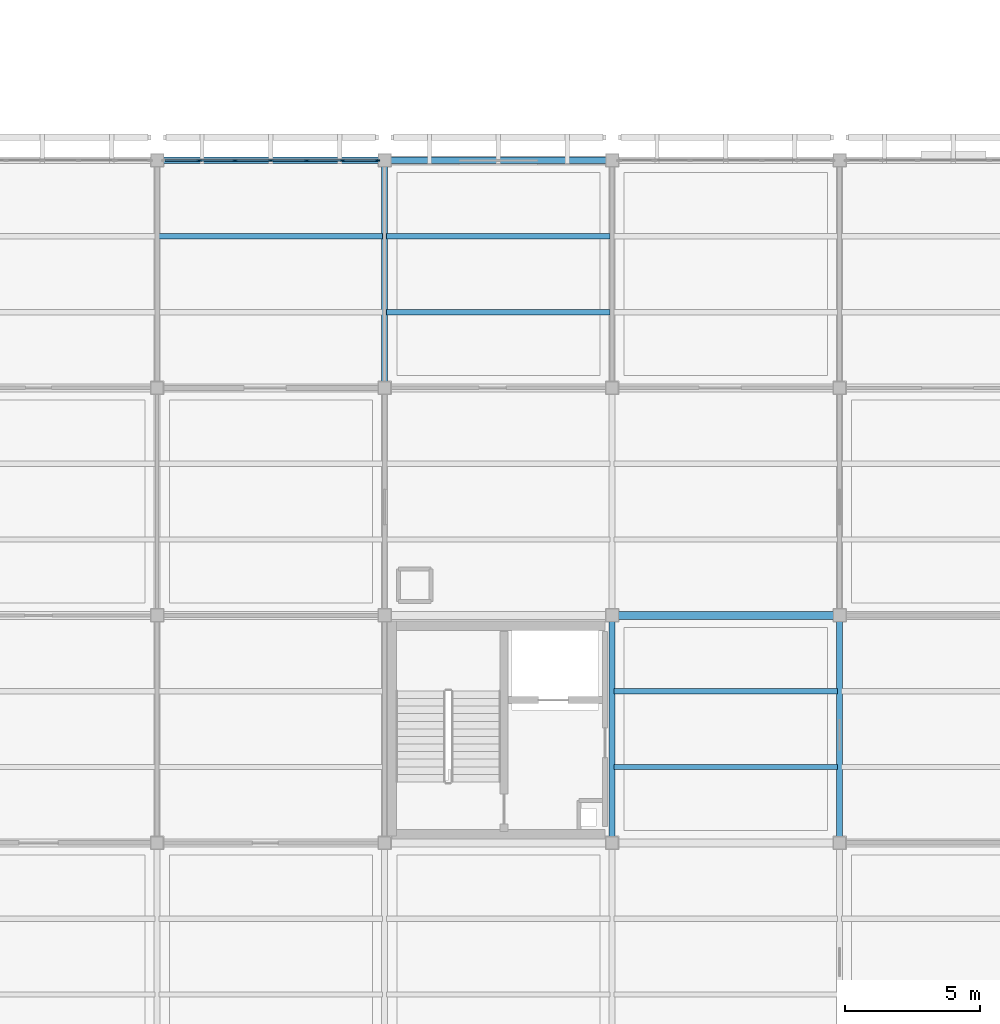
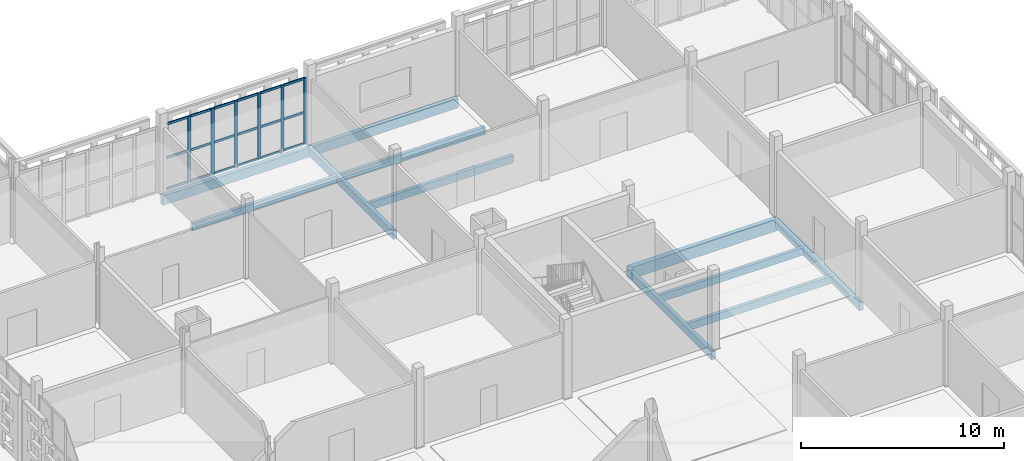
# One storey, part 84 of 203: 24 members, 11 beams, 1 element without a shape of its own.
"""IFC4 building model written with IfcOpenShell, lengths in metres."""

import ifcopenshell
import ifcopenshell.guid

model = None  # the IFC model being written
_history = None  # IfcOwnerHistory: only IFC2X3 demands one
_inside = {}  # id of a spatial element -> (the spatial element, [elements in it])
_under = {}  # id of a project, library or spatial element -> (it, [spatial elements below it])
_declared = {}  # id of a project -> (the project, [libraries it declares])
_typed = {}  # id of a type object -> (the type object, [elements of that type])
_made_of = {}  # id of a material, layer set ... -> (it, [elements and type objects made of it])


def new_model(schema):
    """Start an empty IFC model of exactly this schema.

    Asked for "IFC4X3", IfcOpenShell would pick the latest addendum, in which some entities
    have other attributes; the version numbers below select the first issue.
    IFC2X3 requires an IfcOwnerHistory on every rooted entity: one is made here for all.
    """
    global model, _history
    if schema == "IFC4X3":
        model = ifcopenshell.file(schema_version=(4, 3, 0, 0))
    else:
        model = ifcopenshell.file(schema=schema)
    _inside.clear()
    _under.clear()
    _declared.clear()
    _typed.clear()
    _made_of.clear()
    _history = None
    if model.schema == "IFC2X3":
        org = make("IfcOrganization", Name="unknown")
        user = make(
            "IfcPersonAndOrganization",
            ThePerson=make("IfcPerson", FamilyName="unknown"),
            TheOrganization=org,
        )
        app = make(
            "IfcApplication",
            ApplicationDeveloper=org,
            Version="unknown",
            ApplicationFullName="unknown",
            ApplicationIdentifier="unknown",
        )
        _history = make(
            "IfcOwnerHistory",
            OwningUser=user,
            OwningApplication=app,
            ChangeAction="ADDED",
            CreationDate=0,
        )
    return model


def make(cls, **values):
    """One entity of the class cls with the attributes given. An attribute that is None is left unset."""
    return model.create_entity(
        cls, **{name: value for name, value in values.items() if value is not None}
    )


def rooted(cls, **values):
    """An entity with a GlobalId (a new one), such as an element, a storey or a relation."""
    return make(cls, GlobalId=ifcopenshell.guid.new(), OwnerHistory=_history, **values)


def si_unit(unit_type, name, prefix=None):
    """IfcSIUnit, for example si_unit("LENGTHUNIT", "METRE", prefix="MILLI")."""
    return make("IfcSIUnit", UnitType=unit_type, Prefix=prefix, Name=name)


def assignment(units):
    """IfcUnitAssignment: the units of a project."""
    return None if units is None else make("IfcUnitAssignment", Units=units)


def point(xyz):
    """IfcCartesianPoint."""
    return None if xyz is None else make("IfcCartesianPoint", Coordinates=xyz)


def direction(xyz):
    """IfcDirection."""
    return None if xyz is None else make("IfcDirection", DirectionRatios=xyz)


def frame(location, z_axis=None, x_axis=None):
    """IfcAxis2Placement3D, a coordinate frame: its origin and axes. An axis left out is left unset."""
    return make(
        "IfcAxis2Placement3D",
        Location=point(location),
        Axis=direction(z_axis),
        RefDirection=direction(x_axis),
    )


def frame_2d(location, x_axis=None):
    """IfcAxis2Placement2D, a coordinate frame in the plane: its origin and x axis."""
    return make(
        "IfcAxis2Placement2D", Location=point(location), RefDirection=direction(x_axis)
    )


def origin():
    """The frame at (0, 0, 0) with its axes left unset."""
    return frame((0.0, 0.0, 0.0))


def origin_2d():
    """The frame at (0, 0) in the plane with its x axis left unset."""
    return frame_2d((0.0, 0.0))


def place(relative_to, where):
    """IfcLocalPlacement: puts the frame where relative to a parent placement (None: the world)."""
    return make(
        "IfcLocalPlacement", PlacementRelTo=relative_to, RelativePlacement=where
    )


def context(
    kind, dimensions, precision=None, world=None, true_north=None, identifier=None
):
    """IfcGeometricRepresentationContext, for example the 3D "Model" context."""
    return make(
        "IfcGeometricRepresentationContext",
        ContextIdentifier=identifier,
        ContextType=kind,
        CoordinateSpaceDimension=dimensions,
        Precision=precision,
        WorldCoordinateSystem=world,
        TrueNorth=true_north,
    )


def subcontext(parent, identifier, kind, view, scale=None):
    """IfcGeometricRepresentationSubContext, for example "Body" below "Model"."""
    return make(
        "IfcGeometricRepresentationSubContext",
        ContextIdentifier=identifier,
        ContextType=kind,
        ParentContext=parent,
        TargetScale=scale,
        TargetView=view,
    )


def project(units=None, contexts=None):
    """IfcProject with its units and contexts."""
    return rooted(
        "IfcProject",
        Name="project",
        RepresentationContexts=contexts,
        UnitsInContext=assignment(units),
    )


def spatial(cls, under=None, at=None, **own):
    """A site, building, storey or space (cls), placed at a placement, below another one or the project."""
    s = rooted(cls, ObjectPlacement=at, **own)
    if under is not None:
        _under.setdefault(under.id(), (under, []))[1].append(s)
    return s


def profile(cls, at=None, kind="AREA", **sizes):
    """A parametric profile (cls). Its sizes go by their IFC names, for example OverallWidth=200.0."""
    return make(cls, ProfileType=kind, Position=at, **sizes)


def rectangle(**sizes):
    """IfcRectangleProfileDef."""
    return profile("IfcRectangleProfileDef", **sizes)


def extrude(swept, where, along, depth):
    """IfcExtrudedAreaSolid: the profile swept, set in the frame where, extruded along a direction by depth."""
    return make(
        "IfcExtrudedAreaSolid",
        SweptArea=swept,
        Position=where,
        ExtrudedDirection=direction(along),
        Depth=depth,
    )


def shape(context_of_items, identifier, shape_type, items):
    """IfcShapeRepresentation: the items that make up one representation, for example the "Body"."""
    return make(
        "IfcShapeRepresentation",
        ContextOfItems=context_of_items,
        RepresentationIdentifier=identifier,
        RepresentationType=shape_type,
        Items=items,
    )


def material(Name=None, Category=None):
    """IfcMaterial."""
    return make("IfcMaterial", Name=Name, Category=Category)


def layer(
    of_material, thickness, ventilated=None, Name=None, Category=None, Priority=None
):
    """IfcMaterialLayer: one layer of a wall or slab, of a material (None: an air gap)."""
    return make(
        "IfcMaterialLayer",
        Material=of_material,
        LayerThickness=thickness,
        IsVentilated=ventilated,
        Name=Name,
        Category=Category,
        Priority=Priority,
    )


def layer_set(layers, Name=None):
    """IfcMaterialLayerSet."""
    return make("IfcMaterialLayerSet", MaterialLayers=layers, LayerSetName=Name)


def material_profile(
    of_material, cross_section, Name=None, Category=None, Priority=None
):
    """IfcMaterialProfile: a cross section and its material."""
    return make(
        "IfcMaterialProfile",
        Name=Name,
        Material=of_material,
        Profile=cross_section,
        Priority=Priority,
        Category=Category,
    )


def profile_set(profiles, Name=None, composite=None):
    """IfcMaterialProfileSet."""
    return make(
        "IfcMaterialProfileSet",
        Name=Name,
        MaterialProfiles=profiles,
        CompositeProfile=composite,
    )


def made_of(thing, what):
    """Note that an element or type object is made of a material, layer set ...; save() writes the relation."""
    if what is not None:
        _made_of.setdefault(what.id(), (what, []))[1].append(thing)
    return thing


def type_object(cls, material=None, **own):
    """A type object (cls), such as IfcWallType, which elements share."""
    return made_of(rooted(cls, **own), material)


def element(
    cls,
    number,
    at=None,
    inside=None,
    cuts=None,
    type_object=None,
    material=None,
    context=None,
    identifier="Body",
    shape_type=None,
    held_by="IfcProductDefinitionShape",
    body=None,
    shapes=None,
    **own,
):
    """One element of the class cls, such as IfcWall. Its Tag is "e" and its number.

    at: its placement. inside: the storey or other place that contains it. cuts: it is an
    opening in that element (IfcRelVoidsElement). A single representation is given by context,
    identifier, shape_type and body (its items); several are given by shapes. held_by: the class
    of the entity that holds the representations. save() writes the other relations.
    """
    e = rooted(cls, Tag="e%d" % number, ObjectPlacement=at, **own)
    if body is not None:
        shapes = [shape(context, identifier, shape_type, body)]
    if shapes is not None:
        e.Representation = make(held_by, Representations=shapes)
    if inside is not None:
        _inside.setdefault(inside.id(), (inside, []))[1].append(e)
    if cuts is not None:
        rooted(
            "IfcRelVoidsElement", RelatingBuildingElement=cuts, RelatedOpeningElement=e
        )
    if type_object is not None:
        _typed.setdefault(type_object.id(), (type_object, []))[1].append(e)
    return made_of(e, material)


def aggregate(whole, parts):
    """IfcRelAggregates: a whole, such as a stair, and the parts it consists of."""
    return rooted("IfcRelAggregates", RelatingObject=whole, RelatedObjects=parts)


def save(model, path):
    """Write the relations noted so far, then the file.

    IfcRelAggregates (storeys below a building ...), IfcRelContainedInSpatialStructure (elements
    in a storey), IfcRelDefinesByType, IfcRelAssociatesMaterial and IfcRelDeclares: one each for
    every whole, place, type object, material and project.
    """
    for whole, parts in _under.values():
        aggregate(whole, parts)
    for where, things in _inside.values():
        rooted(
            "IfcRelContainedInSpatialStructure",
            RelatedElements=things,
            RelatingStructure=where,
        )
    for kind, things in _typed.values():
        rooted("IfcRelDefinesByType", RelatedObjects=things, RelatingType=kind)
    for what, things in _made_of.values():
        rooted("IfcRelAssociatesMaterial", RelatedObjects=things, RelatingMaterial=what)
    for by, libraries in _declared.values():
        rooted("IfcRelDeclares", RelatingContext=by, RelatedDefinitions=libraries)
    model.write(path)


model = new_model("IFC4")

# Units and contexts
model_context = context("Model", 3, precision=1e-05, world=origin(), true_north=direction((0.0, 1.0)))
body_context = subcontext(model_context, "Body", "Model", "MODEL_VIEW")
ifc_project = project(units=[si_unit("LENGTHUNIT", "METRE"), si_unit("AREAUNIT", "SQUARE_METRE"), si_unit("VOLUMEUNIT", "CUBIC_METRE"), si_unit("PLANEANGLEUNIT", "RADIAN"), si_unit("MASSUNIT", "GRAM", prefix="KILO")], contexts=[model_context])

# Site, building, storey
site_placement = place(None, origin())
site = spatial("IfcSite", under=ifc_project, at=site_placement, CompositionType="ELEMENT")
building_placement = place(site_placement, origin())
building = spatial("IfcBuilding", under=site, at=building_placement, Name="Varnapada Polytechnic", CompositionType="ELEMENT")
storey_placement = place(building_placement, frame((0.0, 0.0, 4.800048828125)))
storey = spatial("IfcBuildingStorey", under=building, at=storey_placement, Name="L01", CompositionType="ELEMENT", Elevation=4.800048828125)

# Beams
ifc_material_1 = material(Name="Glulam GL32h", Category="wood")
ifc_material_profile_1 = material_profile(ifc_material_1, rectangle(XDim=0.199951171875, YDim=0.43994140625, at=origin_2d()), Name="GL 200x440")
ifc_profile_set_1 = profile_set([ifc_material_profile_1], Name="Glulam GL32h")
beam_type_1 = type_object("IfcBeamType", Name="Heavy laboratory glulam joist GJ-03 (GL 200x440)", PredefinedType="JOIST", material=ifc_profile_set_1)
beam_1_placement = place(storey_placement, frame((142.8798828125, 114.800048828125, -0.469970703125), z_axis=(1.0, 0.0, 0.0), x_axis=(0.0, 1.0, 0.0)))
element("IfcBeam", 1, at=beam_1_placement, inside=storey, type_object=beam_type_1, Name="L01 floor joist 18/14.2", PredefinedType="JOIST", context=body_context, shape_type="SweptSolid", body=[
    extrude(rectangle(XDim=0.199951171875, YDim=0.43994140625, at=origin_2d()), origin(), (0.0, 0.0, 1.0), 8.240234375),
])
for number, where, z_axis, x_axis, name in (
    (2, (151.280029296875, 112.0, -0.469970703125), (1.0, 0.0, 0.0), (0.0, 1.0, 0.0), "L01 floor joist 19/14.1"),
    (3, (151.280029296875, 114.800048828125, -0.469970703125), (1.0, 0.0, 0.0), (0.0, 1.0, 0.0), "L01 floor joist 19/14.2"),
    (4, (159.679931640625, 95.199951171875, -0.469970703125), (1.0, 0.0, 0.0), (0.0, 1.0, 0.0), "L01 floor joist 20/12.1"),
    (5, (159.679931640625, 98.0, -0.469970703125), (1.0, 0.0, 0.0), (0.0, 1.0, 0.0), "L01 floor joist 20/12.2"),
):
    element("IfcBeam", number, at=place(storey_placement, frame(where, z_axis=z_axis, x_axis=x_axis)), inside=storey, type_object=beam_type_1, Name=name, PredefinedType="JOIST", context=body_context, shape_type="SweptSolid", body=[
        extrude(rectangle(XDim=0.199951171875, YDim=0.43994140625, at=origin_2d()), origin(), (0.0, 0.0, 1.0), 8.239990234375),
    ])

# Curtain wall, members
ifc_material_2 = material(Name="Double low-E laminated glass", Category="glass")
ifc_layer = layer(ifc_material_2, 0.179931640625)
ifc_layer_set = layer_set([ifc_layer], Name="Double low-E laminated glass")
curtain_wall_type = type_object("IfcCurtainWallType", Name="Curtain Wall CW-04", PredefinedType="NOTDEFINED", material=ifc_layer_set)
curtain_wall_placement = place(storey_placement, origin())
curtain_wall = element("IfcCurtainWall", 6, at=curtain_wall_placement, inside=storey, type_object=curtain_wall_type, Name="L01 unitised curtain wall CW-04 (108)", PredefinedType="NOTDEFINED")
ifc_material_3 = material(Name="Anodised aluminium", Category="aluminium")
ifc_material_profile_2 = material_profile(ifc_material_3, rectangle(XDim=0.06494140625, YDim=0.179931640625, at=origin_2d()), Name="ALU M65x180")
ifc_profile_set_2 = profile_set([ifc_material_profile_2], Name="Anodised aluminium")
member_type_1 = type_object("IfcMemberType", Name="Mullion M-02", PredefinedType="MULLION", material=ifc_profile_set_2)
member_1_placement = place(storey_placement, frame((144.353271484375, 117.60009765625, 0.0), z_axis=(0.0, 0.0, 1.0), x_axis=(0.0, 1.0, 0.0)))
member_1 = element("IfcMember", 7, at=member_1_placement, type_object=member_type_1, Name="CW-04 mullion 2", PredefinedType="MULLION", context=body_context, shape_type="SweptSolid", body=[
    extrude(rectangle(XDim=0.06494140625, YDim=0.179931640625, at=origin_2d()), origin(), (0.0, 0.0, 1.0), 3.9599609375),
])
member_2_placement = place(storey_placement, frame((145.6767578125, 117.60009765625, 0.0), z_axis=(0.0, 0.0, 1.0), x_axis=(0.0, 1.0, 0.0)))
member_2 = element("IfcMember", 8, at=member_2_placement, type_object=member_type_1, Name="CW-04 mullion 3", PredefinedType="MULLION", context=body_context, shape_type="SweptSolid", body=[
    extrude(rectangle(XDim=0.06494140625, YDim=0.179931640625, at=origin_2d()), origin(), (0.0, 0.0, 1.0), 3.9599609375),
])
member_3_placement = place(storey_placement, frame((147.0, 117.60009765625, 0.0), z_axis=(0.0, 0.0, 1.0), x_axis=(0.0, 1.0, 0.0)))
member_3 = element("IfcMember", 9, at=member_3_placement, type_object=member_type_1, Name="CW-04 mullion 4", PredefinedType="MULLION", context=body_context, shape_type="SweptSolid", body=[
    extrude(rectangle(XDim=0.06494140625, YDim=0.179931640625, at=origin_2d()), origin(), (0.0, 0.0, 1.0), 3.9599609375),
])
member_4_placement = place(storey_placement, frame((148.3232421875, 117.60009765625, 0.0), z_axis=(0.0, 0.0, 1.0), x_axis=(0.0, 1.0, 0.0)))
member_4 = element("IfcMember", 10, at=member_4_placement, type_object=member_type_1, Name="CW-04 mullion 5", PredefinedType="MULLION", context=body_context, shape_type="SweptSolid", body=[
    extrude(rectangle(XDim=0.06494140625, YDim=0.179931640625, at=origin_2d()), origin(), (0.0, 0.0, 1.0), 3.9599609375),
])
member_5_placement = place(storey_placement, frame((149.646728515625, 117.60009765625, 0.0), z_axis=(0.0, 0.0, 1.0), x_axis=(0.0, 1.0, 0.0)))
member_5 = element("IfcMember", 11, at=member_5_placement, type_object=member_type_1, Name="CW-04 mullion 6", PredefinedType="MULLION", context=body_context, shape_type="SweptSolid", body=[
    extrude(rectangle(XDim=0.06494140625, YDim=0.179931640625, at=origin_2d()), origin(), (0.0, 0.0, 1.0), 3.9599609375),
])
member_6_placement = place(storey_placement, frame((150.9375, 117.60009765625, 0.0), z_axis=(0.0, 0.0, 1.0), x_axis=(0.0, 1.0, 0.0)))
member_6 = element("IfcMember", 12, at=member_6_placement, type_object=member_type_1, Name="CW-04 mullion 7", PredefinedType="MULLION", context=body_context, shape_type="SweptSolid", body=[
    extrude(rectangle(XDim=0.06494140625, YDim=0.179931640625, at=origin_2d()), origin(), (0.0, 0.0, 1.0), 3.9599609375),
])

# Beams
ifc_material_profile_3 = material_profile(ifc_material_1, rectangle(XDim=0.239990234375, YDim=0.56005859375, at=origin_2d()), Name="GL 240x560")
ifc_profile_set_3 = profile_set([ifc_material_profile_3], Name="Glulam GL32h")
beam_type_2 = type_object("IfcBeamType", Name="Perimeter glulam spandrel beam SP-02 (GL 240x560)", PredefinedType="SPANDREL", material=ifc_profile_set_3)
beam_2_placement = place(storey_placement, frame((142.800048828125, 117.60009765625, -0.530029296875), z_axis=(1.0, 0.0, 0.0), x_axis=(0.0, 1.0, 0.0)))
element("IfcBeam", 13, at=beam_2_placement, inside=storey, type_object=beam_type_2, Name="L01 beam X 18-19 at Y15", PredefinedType="SPANDREL", context=body_context, shape_type="SweptSolid", body=[
    extrude(rectangle(XDim=0.239990234375, YDim=0.56005859375, at=origin_2d()), origin(), (0.0, 0.0, 1.0), 8.39990234375),
])
beam_3_placement = place(storey_placement, frame((151.199951171875, 117.60009765625, -0.530029296875), z_axis=(1.0, 0.0, 0.0), x_axis=(0.0, 1.0, 0.0)))
element("IfcBeam", 14, at=beam_3_placement, inside=storey, type_object=beam_type_2, Name="L01 beam X 19-20 at Y15", PredefinedType="SPANDREL", context=body_context, shape_type="SweptSolid", body=[
    extrude(rectangle(XDim=0.239990234375, YDim=0.56005859375, at=origin_2d()), origin(), (0.0, 0.0, 1.0), 8.400146484375),
])

# Member
ifc_material_profile_4 = material_profile(ifc_material_3, rectangle(XDim=0.06494140625, YDim=0.139892578125, at=origin_2d()), Name="ALU T65x140")
ifc_profile_set_4 = profile_set([ifc_material_profile_4], Name="Anodised aluminium")
member_type_2 = type_object("IfcMemberType", Name="Transom T-02", PredefinedType="USERDEFINED", material=ifc_profile_set_4)
member_7_placement = place(storey_placement, frame((143.094970703125, 117.60009765625, 0.032470703125), z_axis=(1.0, 0.0, 0.0), x_axis=(0.0, 1.0, 0.0)))
member_7 = element("IfcMember", 15, at=member_7_placement, type_object=member_type_2, Name="CW-04 transom 1.1", ObjectType="TRANSOM", PredefinedType="USERDEFINED", context=body_context, shape_type="SweptSolid", body=[
    extrude(rectangle(XDim=0.06494140625, YDim=0.139892578125, at=origin_2d()), origin(), (0.0, 0.0, 1.0), 1.225830078125),
])

member_8_placement = place(storey_placement, frame((143.094970703125, 117.60009765625, 1.900634765625), z_axis=(1.0, 0.0, 0.0), x_axis=(0.0, 1.0, 0.0)))
member_8 = element("IfcMember", 16, at=member_8_placement, type_object=member_type_2, Name="CW-04 transom 1.2", ObjectType="TRANSOM", PredefinedType="USERDEFINED", context=body_context, shape_type="SweptSolid", body=[
    extrude(rectangle(XDim=0.06494140625, YDim=0.139892578125, at=origin_2d()), origin(), (0.0, 0.0, 1.0), 1.225830078125),
])

member_9_placement = place(storey_placement, frame((143.094970703125, 117.60009765625, 3.927490234375), z_axis=(1.0, 0.0, 0.0), x_axis=(0.0, 1.0, 0.0)))
member_9 = element("IfcMember", 17, at=member_9_placement, type_object=member_type_2, Name="CW-04 transom 1.3", ObjectType="TRANSOM", PredefinedType="USERDEFINED", context=body_context, shape_type="SweptSolid", body=[
    extrude(rectangle(XDim=0.06494140625, YDim=0.139892578125, at=origin_2d()), origin(), (0.0, 0.0, 1.0), 1.225830078125),
])

member_10_placement = place(storey_placement, frame((144.3857421875, 117.60009765625, 0.032470703125), z_axis=(1.0, 0.0, 0.0), x_axis=(0.0, 1.0, 0.0)))
member_10 = element("IfcMember", 18, at=member_10_placement, type_object=member_type_2, Name="CW-04 transom 2.1", ObjectType="TRANSOM", PredefinedType="USERDEFINED", context=body_context, shape_type="SweptSolid", body=[
    extrude(rectangle(XDim=0.06494140625, YDim=0.139892578125, at=origin_2d()), origin(), (0.0, 0.0, 1.0), 1.258544921875),
])

member_11_placement = place(storey_placement, frame((144.3857421875, 117.60009765625, 1.900634765625), z_axis=(1.0, 0.0, 0.0), x_axis=(0.0, 1.0, 0.0)))
member_11 = element("IfcMember", 19, at=member_11_placement, type_object=member_type_2, Name="CW-04 transom 2.2", ObjectType="TRANSOM", PredefinedType="USERDEFINED", context=body_context, shape_type="SweptSolid", body=[
    extrude(rectangle(XDim=0.06494140625, YDim=0.139892578125, at=origin_2d()), origin(), (0.0, 0.0, 1.0), 1.258544921875),
])

member_12_placement = place(storey_placement, frame((144.3857421875, 117.60009765625, 3.927490234375), z_axis=(1.0, 0.0, 0.0), x_axis=(0.0, 1.0, 0.0)))
member_12 = element("IfcMember", 20, at=member_12_placement, type_object=member_type_2, Name="CW-04 transom 2.3", ObjectType="TRANSOM", PredefinedType="USERDEFINED", context=body_context, shape_type="SweptSolid", body=[
    extrude(rectangle(XDim=0.06494140625, YDim=0.139892578125, at=origin_2d()), origin(), (0.0, 0.0, 1.0), 1.258544921875),
])

member_13_placement = place(storey_placement, frame((145.709228515625, 117.60009765625, 0.032470703125), z_axis=(1.0, 0.0, 0.0), x_axis=(0.0, 1.0, 0.0)))
member_13 = element("IfcMember", 21, at=member_13_placement, type_object=member_type_2, Name="CW-04 transom 3.1", ObjectType="TRANSOM", PredefinedType="USERDEFINED", context=body_context, shape_type="SweptSolid", body=[
    extrude(rectangle(XDim=0.06494140625, YDim=0.139892578125, at=origin_2d()), origin(), (0.0, 0.0, 1.0), 1.25830078125),
])

member_14_placement = place(storey_placement, frame((145.709228515625, 117.60009765625, 1.900634765625), z_axis=(1.0, 0.0, 0.0), x_axis=(0.0, 1.0, 0.0)))
member_14 = element("IfcMember", 22, at=member_14_placement, type_object=member_type_2, Name="CW-04 transom 3.2", ObjectType="TRANSOM", PredefinedType="USERDEFINED", context=body_context, shape_type="SweptSolid", body=[
    extrude(rectangle(XDim=0.06494140625, YDim=0.139892578125, at=origin_2d()), origin(), (0.0, 0.0, 1.0), 1.25830078125),
])

member_15_placement = place(storey_placement, frame((145.709228515625, 117.60009765625, 3.927490234375), z_axis=(1.0, 0.0, 0.0), x_axis=(0.0, 1.0, 0.0)))
member_15 = element("IfcMember", 23, at=member_15_placement, type_object=member_type_2, Name="CW-04 transom 3.3", ObjectType="TRANSOM", PredefinedType="USERDEFINED", context=body_context, shape_type="SweptSolid", body=[
    extrude(rectangle(XDim=0.06494140625, YDim=0.139892578125, at=origin_2d()), origin(), (0.0, 0.0, 1.0), 1.25830078125),
])

member_16_placement = place(storey_placement, frame((147.032470703125, 117.60009765625, 0.032470703125), z_axis=(1.0, 0.0, 0.0), x_axis=(0.0, 1.0, 0.0)))
member_16 = element("IfcMember", 24, at=member_16_placement, type_object=member_type_2, Name="CW-04 transom 4.1", ObjectType="TRANSOM", PredefinedType="USERDEFINED", context=body_context, shape_type="SweptSolid", body=[
    extrude(rectangle(XDim=0.06494140625, YDim=0.139892578125, at=origin_2d()), origin(), (0.0, 0.0, 1.0), 1.25830078125),
])

member_17_placement = place(storey_placement, frame((147.032470703125, 117.60009765625, 1.900634765625), z_axis=(1.0, 0.0, 0.0), x_axis=(0.0, 1.0, 0.0)))
member_17 = element("IfcMember", 25, at=member_17_placement, type_object=member_type_2, Name="CW-04 transom 4.2", ObjectType="TRANSOM", PredefinedType="USERDEFINED", context=body_context, shape_type="SweptSolid", body=[
    extrude(rectangle(XDim=0.06494140625, YDim=0.139892578125, at=origin_2d()), origin(), (0.0, 0.0, 1.0), 1.25830078125),
])

member_18_placement = place(storey_placement, frame((147.032470703125, 117.60009765625, 3.927490234375), z_axis=(1.0, 0.0, 0.0), x_axis=(0.0, 1.0, 0.0)))
member_18 = element("IfcMember", 26, at=member_18_placement, type_object=member_type_2, Name="CW-04 transom 4.3", ObjectType="TRANSOM", PredefinedType="USERDEFINED", context=body_context, shape_type="SweptSolid", body=[
    extrude(rectangle(XDim=0.06494140625, YDim=0.139892578125, at=origin_2d()), origin(), (0.0, 0.0, 1.0), 1.25830078125),
])

member_19_placement = place(storey_placement, frame((148.355712890625, 117.60009765625, 0.032470703125), z_axis=(1.0, 0.0, 0.0), x_axis=(0.0, 1.0, 0.0)))
member_19 = element("IfcMember", 27, at=member_19_placement, type_object=member_type_2, Name="CW-04 transom 5.1", ObjectType="TRANSOM", PredefinedType="USERDEFINED", context=body_context, shape_type="SweptSolid", body=[
    extrude(rectangle(XDim=0.06494140625, YDim=0.139892578125, at=origin_2d()), origin(), (0.0, 0.0, 1.0), 1.258544921875),
])

member_20_placement = place(storey_placement, frame((148.355712890625, 117.60009765625, 1.900634765625), z_axis=(1.0, 0.0, 0.0), x_axis=(0.0, 1.0, 0.0)))
member_20 = element("IfcMember", 28, at=member_20_placement, type_object=member_type_2, Name="CW-04 transom 5.2", ObjectType="TRANSOM", PredefinedType="USERDEFINED", context=body_context, shape_type="SweptSolid", body=[
    extrude(rectangle(XDim=0.06494140625, YDim=0.139892578125, at=origin_2d()), origin(), (0.0, 0.0, 1.0), 1.258544921875),
])

member_21_placement = place(storey_placement, frame((148.355712890625, 117.60009765625, 3.927490234375), z_axis=(1.0, 0.0, 0.0), x_axis=(0.0, 1.0, 0.0)))
member_21 = element("IfcMember", 29, at=member_21_placement, type_object=member_type_2, Name="CW-04 transom 5.3", ObjectType="TRANSOM", PredefinedType="USERDEFINED", context=body_context, shape_type="SweptSolid", body=[
    extrude(rectangle(XDim=0.06494140625, YDim=0.139892578125, at=origin_2d()), origin(), (0.0, 0.0, 1.0), 1.258544921875),
])

member_22_placement = place(storey_placement, frame((149.67919921875, 117.60009765625, 0.032470703125), z_axis=(1.0, 0.0, 0.0), x_axis=(0.0, 1.0, 0.0)))
member_22 = element("IfcMember", 30, at=member_22_placement, type_object=member_type_2, Name="CW-04 transom 6.1", ObjectType="TRANSOM", PredefinedType="USERDEFINED", context=body_context, shape_type="SweptSolid", body=[
    extrude(rectangle(XDim=0.06494140625, YDim=0.139892578125, at=origin_2d()), origin(), (0.0, 0.0, 1.0), 1.225830078125),
])

member_23_placement = place(storey_placement, frame((149.67919921875, 117.60009765625, 1.900634765625), z_axis=(1.0, 0.0, 0.0), x_axis=(0.0, 1.0, 0.0)))
member_23 = element("IfcMember", 31, at=member_23_placement, type_object=member_type_2, Name="CW-04 transom 6.2", ObjectType="TRANSOM", PredefinedType="USERDEFINED", context=body_context, shape_type="SweptSolid", body=[
    extrude(rectangle(XDim=0.06494140625, YDim=0.139892578125, at=origin_2d()), origin(), (0.0, 0.0, 1.0), 1.225830078125),
])

member_24_placement = place(storey_placement, frame((149.67919921875, 117.60009765625, 3.927490234375), z_axis=(1.0, 0.0, 0.0), x_axis=(0.0, 1.0, 0.0)))
member_24 = element("IfcMember", 32, at=member_24_placement, type_object=member_type_2, Name="CW-04 transom 6.3", ObjectType="TRANSOM", PredefinedType="USERDEFINED", context=body_context, shape_type="SweptSolid", body=[
    extrude(rectangle(XDim=0.06494140625, YDim=0.139892578125, at=origin_2d()), origin(), (0.0, 0.0, 1.0), 1.225830078125),
])

aggregate(curtain_wall, [member_1, member_2, member_3, member_4, member_5, member_6, member_7, member_8, member_9, member_10, member_11, member_12, member_13, member_14, member_15, member_16, member_17, member_18, member_19, member_20, member_21, member_22, member_23, member_24])

# Beams
ifc_material_profile_5 = material_profile(ifc_material_1, rectangle(XDim=0.219970703125, YDim=0.47998046875, at=origin_2d()), Name="GL 220x480")
ifc_profile_set_5 = profile_set([ifc_material_profile_5], Name="Glulam GL32h")
beam_type_3 = type_object("IfcBeamType", Name="Upper floor glulam tie beam GB-11 (GL 220x480)", PredefinedType="BEAM", material=ifc_profile_set_5)
for number, where, z_axis, x_axis, name in (
    (33, (151.199951171875, 109.199951171875, -0.489990234375), (0.0, 1.0, 0.0), (-1.0, 0.0, 0.0), "L01 beam Y 14-15 at X19"),
    (34, (159.60009765625, 92.39990234375, -0.489990234375), (0.0, 1.0, 0.0), (-1.0, 0.0, 0.0), "L01 beam Y 12-13 at X20"),
    (35, (168.0, 92.39990234375, -0.489990234375), (0.0, 1.0, 0.0), (-1.0, 0.0, 0.0), "L01 beam Y 12-13 at X21"),
):
    element("IfcBeam", number, at=place(storey_placement, frame(where, z_axis=z_axis, x_axis=x_axis)), inside=storey, type_object=beam_type_3, Name=name, PredefinedType="BEAM", context=body_context, shape_type="SweptSolid", body=[
        extrude(rectangle(XDim=0.219970703125, YDim=0.47998046875, at=origin_2d()), origin(), (0.0, 0.0, 1.0), 8.400146484375),
    ])
ifc_material_profile_6 = material_profile(ifc_material_1, rectangle(XDim=0.300048828125, YDim=0.679931640625, at=origin_2d()), Name="GL 300x680")
ifc_profile_set_6 = profile_set([ifc_material_profile_6], Name="Glulam GL32h")
beam_type_4 = type_object("IfcBeamType", Name="Wet laboratory glulam girder GG-04 (GL 300x680)", PredefinedType="BEAM", material=ifc_profile_set_6)
beam_4_placement = place(storey_placement, frame((159.60009765625, 100.800048828125, -0.590087890625), z_axis=(1.0, 0.0, 0.0), x_axis=(0.0, 1.0, 0.0)))
element("IfcBeam", 36, at=beam_4_placement, inside=storey, type_object=beam_type_4, Name="L01 beam X 20-21 at Y13", PredefinedType="BEAM", context=body_context, shape_type="SweptSolid", body=[
    extrude(rectangle(XDim=0.300048828125, YDim=0.679931640625, at=origin_2d()), origin(), (0.0, 0.0, 1.0), 8.39990234375),
])

save(model, "model.ifc")
